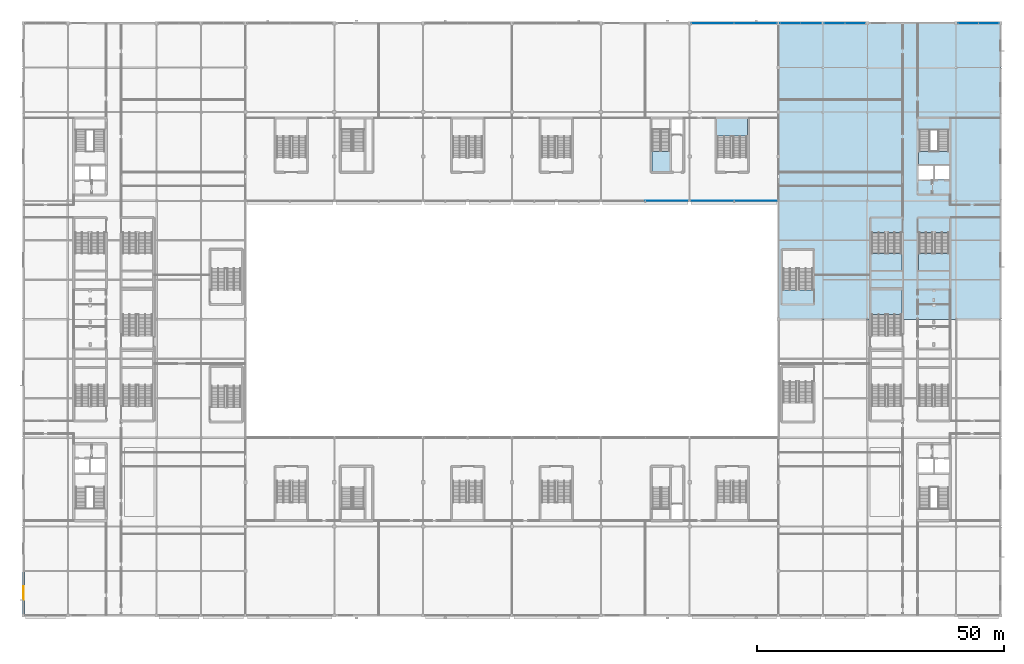
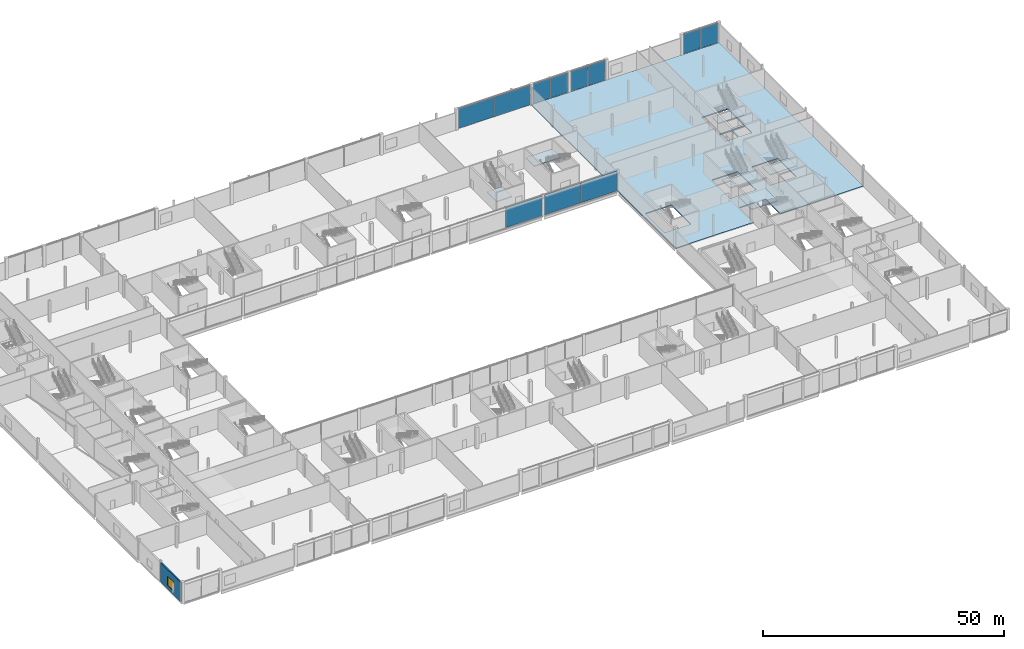
# One storey, part 57 of 111: 11 plates, 7 slabs, 1 wall, 1 window, 1 opening, 12 elements without a shape of their own.
"""IFC4 building model written with IfcOpenShell, lengths in metres."""

import ifcopenshell
import ifcopenshell.guid

model = None  # the IFC model being written
_history = None  # IfcOwnerHistory: only IFC2X3 demands one
_inside = {}  # id of a spatial element -> (the spatial element, [elements in it])
_under = {}  # id of a project, library or spatial element -> (it, [spatial elements below it])
_declared = {}  # id of a project -> (the project, [libraries it declares])
_typed = {}  # id of a type object -> (the type object, [elements of that type])
_made_of = {}  # id of a material, layer set ... -> (it, [elements and type objects made of it])


def new_model(schema):
    """Start an empty IFC model of exactly this schema.

    Asked for "IFC4X3", IfcOpenShell would pick the latest addendum, in which some entities
    have other attributes; the version numbers below select the first issue.
    IFC2X3 requires an IfcOwnerHistory on every rooted entity: one is made here for all.
    """
    global model, _history
    if schema == "IFC4X3":
        model = ifcopenshell.file(schema_version=(4, 3, 0, 0))
    else:
        model = ifcopenshell.file(schema=schema)
    _inside.clear()
    _under.clear()
    _declared.clear()
    _typed.clear()
    _made_of.clear()
    _history = None
    if model.schema == "IFC2X3":
        org = make("IfcOrganization", Name="unknown")
        user = make(
            "IfcPersonAndOrganization",
            ThePerson=make("IfcPerson", FamilyName="unknown"),
            TheOrganization=org,
        )
        app = make(
            "IfcApplication",
            ApplicationDeveloper=org,
            Version="unknown",
            ApplicationFullName="unknown",
            ApplicationIdentifier="unknown",
        )
        _history = make(
            "IfcOwnerHistory",
            OwningUser=user,
            OwningApplication=app,
            ChangeAction="ADDED",
            CreationDate=0,
        )
    return model


def make(cls, **values):
    """One entity of the class cls with the attributes given. An attribute that is None is left unset."""
    return model.create_entity(
        cls, **{name: value for name, value in values.items() if value is not None}
    )


def rooted(cls, **values):
    """An entity with a GlobalId (a new one), such as an element, a storey or a relation."""
    return make(cls, GlobalId=ifcopenshell.guid.new(), OwnerHistory=_history, **values)


def si_unit(unit_type, name, prefix=None):
    """IfcSIUnit, for example si_unit("LENGTHUNIT", "METRE", prefix="MILLI")."""
    return make("IfcSIUnit", UnitType=unit_type, Prefix=prefix, Name=name)


def assignment(units):
    """IfcUnitAssignment: the units of a project."""
    return None if units is None else make("IfcUnitAssignment", Units=units)


def point(xyz):
    """IfcCartesianPoint."""
    return None if xyz is None else make("IfcCartesianPoint", Coordinates=xyz)


def direction(xyz):
    """IfcDirection."""
    return None if xyz is None else make("IfcDirection", DirectionRatios=xyz)


def frame(location, z_axis=None, x_axis=None):
    """IfcAxis2Placement3D, a coordinate frame: its origin and axes. An axis left out is left unset."""
    return make(
        "IfcAxis2Placement3D",
        Location=point(location),
        Axis=direction(z_axis),
        RefDirection=direction(x_axis),
    )


def frame_2d(location, x_axis=None):
    """IfcAxis2Placement2D, a coordinate frame in the plane: its origin and x axis."""
    return make(
        "IfcAxis2Placement2D", Location=point(location), RefDirection=direction(x_axis)
    )


def origin():
    """The frame at (0, 0, 0) with its axes left unset."""
    return frame((0.0, 0.0, 0.0))


def origin_2d():
    """The frame at (0, 0) in the plane with its x axis left unset."""
    return frame_2d((0.0, 0.0))


def place(relative_to, where):
    """IfcLocalPlacement: puts the frame where relative to a parent placement (None: the world)."""
    return make(
        "IfcLocalPlacement", PlacementRelTo=relative_to, RelativePlacement=where
    )


def context(
    kind, dimensions, precision=None, world=None, true_north=None, identifier=None
):
    """IfcGeometricRepresentationContext, for example the 3D "Model" context."""
    return make(
        "IfcGeometricRepresentationContext",
        ContextIdentifier=identifier,
        ContextType=kind,
        CoordinateSpaceDimension=dimensions,
        Precision=precision,
        WorldCoordinateSystem=world,
        TrueNorth=true_north,
    )


def subcontext(parent, identifier, kind, view, scale=None):
    """IfcGeometricRepresentationSubContext, for example "Body" below "Model"."""
    return make(
        "IfcGeometricRepresentationSubContext",
        ContextIdentifier=identifier,
        ContextType=kind,
        ParentContext=parent,
        TargetScale=scale,
        TargetView=view,
    )


def project(units=None, contexts=None):
    """IfcProject with its units and contexts."""
    return rooted(
        "IfcProject",
        Name="project",
        RepresentationContexts=contexts,
        UnitsInContext=assignment(units),
    )


def spatial(cls, under=None, at=None, **own):
    """A site, building, storey or space (cls), placed at a placement, below another one or the project."""
    s = rooted(cls, ObjectPlacement=at, **own)
    if under is not None:
        _under.setdefault(under.id(), (under, []))[1].append(s)
    return s


def polyline(points):
    """IfcPolyline through the points."""
    return make("IfcPolyline", Points=[point(p) for p in points])


def profile(cls, at=None, kind="AREA", **sizes):
    """A parametric profile (cls). Its sizes go by their IFC names, for example OverallWidth=200.0."""
    return make(cls, ProfileType=kind, Position=at, **sizes)


def rectangle(**sizes):
    """IfcRectangleProfileDef."""
    return profile("IfcRectangleProfileDef", **sizes)


def outline(outer, holes=None, kind="AREA"):
    """IfcArbitraryClosedProfileDef: a profile drawn as a closed curve; with holes, ...WithVoids."""
    if holes is None:
        return make("IfcArbitraryClosedProfileDef", ProfileType=kind, OuterCurve=outer)
    return make(
        "IfcArbitraryProfileDefWithVoids",
        ProfileType=kind,
        OuterCurve=outer,
        InnerCurves=holes,
    )


def extrude(swept, where, along, depth):
    """IfcExtrudedAreaSolid: the profile swept, set in the frame where, extruded along a direction by depth."""
    return make(
        "IfcExtrudedAreaSolid",
        SweptArea=swept,
        Position=where,
        ExtrudedDirection=direction(along),
        Depth=depth,
    )


def shape(context_of_items, identifier, shape_type, items):
    """IfcShapeRepresentation: the items that make up one representation, for example the "Body"."""
    return make(
        "IfcShapeRepresentation",
        ContextOfItems=context_of_items,
        RepresentationIdentifier=identifier,
        RepresentationType=shape_type,
        Items=items,
    )


def material(Name=None, Category=None):
    """IfcMaterial."""
    return make("IfcMaterial", Name=Name, Category=Category)


def layer(
    of_material, thickness, ventilated=None, Name=None, Category=None, Priority=None
):
    """IfcMaterialLayer: one layer of a wall or slab, of a material (None: an air gap)."""
    return make(
        "IfcMaterialLayer",
        Material=of_material,
        LayerThickness=thickness,
        IsVentilated=ventilated,
        Name=Name,
        Category=Category,
        Priority=Priority,
    )


def layer_set(layers, Name=None):
    """IfcMaterialLayerSet."""
    return make("IfcMaterialLayerSet", MaterialLayers=layers, LayerSetName=Name)


def made_of(thing, what):
    """Note that an element or type object is made of a material, layer set ...; save() writes the relation."""
    if what is not None:
        _made_of.setdefault(what.id(), (what, []))[1].append(thing)
    return thing


def type_object(cls, material=None, **own):
    """A type object (cls), such as IfcWallType, which elements share."""
    return made_of(rooted(cls, **own), material)


def element(
    cls,
    number,
    at=None,
    inside=None,
    cuts=None,
    type_object=None,
    material=None,
    context=None,
    identifier="Body",
    shape_type=None,
    held_by="IfcProductDefinitionShape",
    body=None,
    shapes=None,
    **own,
):
    """One element of the class cls, such as IfcWall. Its Tag is "e" and its number.

    at: its placement. inside: the storey or other place that contains it. cuts: it is an
    opening in that element (IfcRelVoidsElement). A single representation is given by context,
    identifier, shape_type and body (its items); several are given by shapes. held_by: the class
    of the entity that holds the representations. save() writes the other relations.
    """
    e = rooted(cls, Tag="e%d" % number, ObjectPlacement=at, **own)
    if body is not None:
        shapes = [shape(context, identifier, shape_type, body)]
    if shapes is not None:
        e.Representation = make(held_by, Representations=shapes)
    if inside is not None:
        _inside.setdefault(inside.id(), (inside, []))[1].append(e)
    if cuts is not None:
        rooted(
            "IfcRelVoidsElement", RelatingBuildingElement=cuts, RelatedOpeningElement=e
        )
    if type_object is not None:
        _typed.setdefault(type_object.id(), (type_object, []))[1].append(e)
    return made_of(e, material)


def fill(opening, filler):
    """IfcRelFillsElement: the door or window that sits in an opening."""
    return rooted(
        "IfcRelFillsElement",
        RelatingOpeningElement=opening,
        RelatedBuildingElement=filler,
    )


def aggregate(whole, parts):
    """IfcRelAggregates: a whole, such as a stair, and the parts it consists of."""
    return rooted("IfcRelAggregates", RelatingObject=whole, RelatedObjects=parts)


def save(model, path):
    """Write the relations noted so far, then the file.

    IfcRelAggregates (storeys below a building ...), IfcRelContainedInSpatialStructure (elements
    in a storey), IfcRelDefinesByType, IfcRelAssociatesMaterial and IfcRelDeclares: one each for
    every whole, place, type object, material and project.
    """
    for whole, parts in _under.values():
        aggregate(whole, parts)
    for where, things in _inside.values():
        rooted(
            "IfcRelContainedInSpatialStructure",
            RelatedElements=things,
            RelatingStructure=where,
        )
    for kind, things in _typed.values():
        rooted("IfcRelDefinesByType", RelatedObjects=things, RelatingType=kind)
    for what, things in _made_of.values():
        rooted("IfcRelAssociatesMaterial", RelatedObjects=things, RelatingMaterial=what)
    for by, libraries in _declared.values():
        rooted("IfcRelDeclares", RelatingContext=by, RelatedDefinitions=libraries)
    model.write(path)


model = new_model("IFC4")

# Units and contexts
model_context = context("Model", 3, precision=1e-05, world=origin(), true_north=direction((0.0, 1.0)))
body_context = subcontext(model_context, "Body", "Model", "MODEL_VIEW")
ifc_project = project(units=[si_unit("LENGTHUNIT", "METRE"), si_unit("AREAUNIT", "SQUARE_METRE"), si_unit("VOLUMEUNIT", "CUBIC_METRE"), si_unit("PLANEANGLEUNIT", "RADIAN"), si_unit("MASSUNIT", "GRAM", prefix="KILO")], contexts=[model_context])

# Site, building, storey
site_placement = place(None, origin())
site = spatial("IfcSite", under=ifc_project, at=site_placement, CompositionType="ELEMENT")
building_placement = place(site_placement, origin())
building = spatial("IfcBuilding", under=site, at=building_placement, Name="Kisiwana Market Hall", CompositionType="ELEMENT")
storey_placement = place(building_placement, frame((0.0, 0.0, 11.39990234375)))
storey = spatial("IfcBuildingStorey", under=building, at=storey_placement, Name="L02", CompositionType="ELEMENT", Elevation=11.39990234375)

# Curtain wall, plate
ifc_material_1 = material(Name="Double-glazed solar-control low-E IGU", Category="glass")
ifc_layer_1 = layer(ifc_material_1, 0.159912109375)
ifc_layer_set_1 = layer_set([ifc_layer_1], Name="CW-GLD-W-6400")
curtain_wall_type_1 = type_object("IfcCurtainWallType", Name="CW-GLD-W-6400", PredefinedType="USERDEFINED", material=ifc_layer_set_1)
curtain_wall_1_placement = place(storey_placement, origin())
curtain_wall_1 = element("IfcCurtainWall", 1, at=curtain_wall_1_placement, inside=storey, type_object=curtain_wall_type_1, Name="Unitised curtain wall CW-077 (L02)", ObjectType="UNITISED CURTAIN WALL", PredefinedType="USERDEFINED")
ifc_material_2 = material(Name="Double-glazed solar-control low-E IGU", Category="glass")
ifc_layer_2 = layer(ifc_material_2, 0.02392578125)
ifc_layer_set_2 = layer_set([ifc_layer_2], Name="PL-IGU-24")
plate_type_1 = type_object("IfcPlateType", Name="PL-IGU-24", PredefinedType="CURTAIN_PANEL", material=ifc_layer_set_2)
plate_1_placement = place(storey_placement, frame((130.382080078125, 84.0, 0.06005859375), z_axis=(0.0, 0.0, 1.0), x_axis=(1.0, 0.0, 0.0)))
plate_1 = element("IfcPlate", 2, at=plate_1_placement, type_object=plate_type_1, Name="CW-077 panel 2.1", PredefinedType="CURTAIN_PANEL", context=body_context, shape_type="SweptSolid", body=[
    extrude(rectangle(XDim=8.7041015625, YDim=0.02392578125, at=origin_2d()), origin(), (0.0, 0.0, 1.0), 5.030029296875),
])
aggregate(curtain_wall_1, [plate_1])

# Curtain wall, plates
ifc_material_3 = material(Name="Double-glazed solar-control low-E IGU", Category="glass")
ifc_layer_3 = layer(ifc_material_3, 0.159912109375)
ifc_layer_set_3 = layer_set([ifc_layer_3], Name="CW-GLD-E-7200")
curtain_wall_type_2 = type_object("IfcCurtainWallType", Name="CW-GLD-E-7200", PredefinedType="USERDEFINED", material=ifc_layer_set_3)
curtain_wall_2_placement = place(storey_placement, origin())
curtain_wall_2 = element("IfcCurtainWall", 3, at=curtain_wall_2_placement, inside=storey, type_object=curtain_wall_type_2, Name="Unitised curtain wall CW-085 (L02)", ObjectType="UNITISED CURTAIN WALL", PredefinedType="USERDEFINED")
plate_2_placement = place(storey_placement, frame((139.677490234375, 120.0, 0.06005859375), z_axis=(0.0, 0.0, 1.0), x_axis=(1.0, 0.0, 0.0)))
plate_2 = element("IfcPlate", 4, at=plate_2_placement, type_object=plate_type_1, Name="CW-085 panel 1.1", PredefinedType="CURTAIN_PANEL", context=body_context, shape_type="SweptSolid", body=[
    extrude(rectangle(XDim=8.5849609375, YDim=0.02392578125, at=origin_2d()), origin(), (0.0, 0.0, 1.0), 5.030029296875),
])
plate_3_placement = place(storey_placement, frame((148.322509765625, 120.0, 0.06005859375), z_axis=(0.0, 0.0, 1.0), x_axis=(1.0, 0.0, 0.0)))
plate_3 = element("IfcPlate", 5, at=plate_3_placement, type_object=plate_type_1, Name="CW-085 panel 2.1", PredefinedType="CURTAIN_PANEL", context=body_context, shape_type="SweptSolid", body=[
    extrude(rectangle(XDim=8.5849609375, YDim=0.02392578125, at=origin_2d()), origin(), (0.0, 0.0, 1.0), 5.030029296875),
])
aggregate(curtain_wall_2, [plate_2, plate_3])

curtain_wall_3_placement = place(storey_placement, origin())
curtain_wall_3 = element("IfcCurtainWall", 6, at=curtain_wall_3_placement, inside=storey, type_object=curtain_wall_type_2, Name="Unitised curtain wall CW-087 (L02)", ObjectType="UNITISED CURTAIN WALL", PredefinedType="USERDEFINED")
plate_4_placement = place(storey_placement, frame((164.427490234375, 120.0, 0.06005859375), z_axis=(0.0, 0.0, 1.0), x_axis=(1.0, 0.0, 0.0)))
plate_4 = element("IfcPlate", 7, at=plate_4_placement, type_object=plate_type_1, Name="CW-087 panel 1.1", PredefinedType="CURTAIN_PANEL", context=body_context, shape_type="SweptSolid", body=[
    extrude(rectangle(XDim=4.0849609375, YDim=0.02392578125, at=origin_2d()), origin(), (0.0, 0.0, 1.0), 5.030029296875),
])
plate_5_placement = place(storey_placement, frame((168.572509765625, 120.0, 0.06005859375), z_axis=(0.0, 0.0, 1.0), x_axis=(1.0, 0.0, 0.0)))
plate_5 = element("IfcPlate", 8, at=plate_5_placement, type_object=plate_type_1, Name="CW-087 panel 2.1", PredefinedType="CURTAIN_PANEL", context=body_context, shape_type="SweptSolid", body=[
    extrude(rectangle(XDim=4.0849609375, YDim=0.02392578125, at=origin_2d()), origin(), (0.0, 0.0, 1.0), 5.030029296875),
])
aggregate(curtain_wall_3, [plate_4, plate_5])

curtain_wall_4_placement = place(storey_placement, origin())
curtain_wall_4 = element("IfcCurtainWall", 9, at=curtain_wall_4_placement, inside=storey, type_object=curtain_wall_type_1, Name="Unitised curtain wall CW-078 (L02)", ObjectType="UNITISED CURTAIN WALL", PredefinedType="USERDEFINED")
ifc_material_4 = material(Name="Double-glazed acoustic laminated IGU", Category="glass")
ifc_layer_4 = layer(ifc_material_4, 0.028076171875)
ifc_layer_set_4 = layer_set([ifc_layer_4], Name="PL-IGU-28")
plate_type_2 = type_object("IfcPlateType", Name="PL-IGU-28", PredefinedType="CURTAIN_PANEL", material=ifc_layer_set_4)
plate_6_placement = place(storey_placement, frame((139.617919921875, 84.0, 0.06005859375), z_axis=(0.0, 0.0, 1.0), x_axis=(1.0, 0.0, 0.0)))
plate_6 = element("IfcPlate", 10, at=plate_6_placement, type_object=plate_type_2, Name="CW-078 panel 1.1", PredefinedType="CURTAIN_PANEL", context=body_context, shape_type="SweptSolid", body=[
    extrude(rectangle(XDim=8.7041015625, YDim=0.028076171875, at=origin_2d()), origin(), (0.0, 0.0, 1.0), 5.030029296875),
])
plate_7_placement = place(storey_placement, frame((148.382080078125, 84.0, 0.06005859375), z_axis=(0.0, 0.0, 1.0), x_axis=(1.0, 0.0, 0.0)))
plate_7 = element("IfcPlate", 11, at=plate_7_placement, type_object=plate_type_2, Name="CW-078 panel 2.1", PredefinedType="CURTAIN_PANEL", context=body_context, shape_type="SweptSolid", body=[
    extrude(rectangle(XDim=8.7041015625, YDim=0.028076171875, at=origin_2d()), origin(), (0.0, 0.0, 1.0), 5.030029296875),
])
aggregate(curtain_wall_4, [plate_6, plate_7])

curtain_wall_5_placement = place(storey_placement, origin())
curtain_wall_5 = element("IfcCurtainWall", 12, at=curtain_wall_5_placement, inside=storey, type_object=curtain_wall_type_2, Name="Unitised curtain wall CW-086 (L02)", ObjectType="UNITISED CURTAIN WALL", PredefinedType="USERDEFINED")
plate_8_placement = place(storey_placement, frame((155.427490234375, 120.0, 0.06005859375), z_axis=(0.0, 0.0, 1.0), x_axis=(1.0, 0.0, 0.0)))
plate_8 = element("IfcPlate", 13, at=plate_8_placement, type_object=plate_type_2, Name="CW-086 panel 1.1", PredefinedType="CURTAIN_PANEL", context=body_context, shape_type="SweptSolid", body=[
    extrude(rectangle(XDim=4.0849609375, YDim=0.028076171875, at=origin_2d()), origin(), (0.0, 0.0, 1.0), 5.030029296875),
])
plate_9_placement = place(storey_placement, frame((159.572509765625, 120.0, 0.06005859375), z_axis=(0.0, 0.0, 1.0), x_axis=(1.0, 0.0, 0.0)))
plate_9 = element("IfcPlate", 14, at=plate_9_placement, type_object=plate_type_2, Name="CW-086 panel 2.1", PredefinedType="CURTAIN_PANEL", context=body_context, shape_type="SweptSolid", body=[
    extrude(rectangle(XDim=4.0849609375, YDim=0.028076171875, at=origin_2d()), origin(), (0.0, 0.0, 1.0), 5.030029296875),
])
aggregate(curtain_wall_5, [plate_8, plate_9])

curtain_wall_6_placement = place(storey_placement, origin())
curtain_wall_6 = element("IfcCurtainWall", 15, at=curtain_wall_6_placement, inside=storey, type_object=curtain_wall_type_2, Name="Unitised curtain wall CW-088 (L02)", ObjectType="UNITISED CURTAIN WALL", PredefinedType="USERDEFINED")
plate_10_placement = place(storey_placement, frame((191.427490234375, 120.0, 0.06005859375), z_axis=(0.0, 0.0, 1.0), x_axis=(1.0, 0.0, 0.0)))
plate_10 = element("IfcPlate", 16, at=plate_10_placement, type_object=plate_type_2, Name="CW-088 panel 1.1", PredefinedType="CURTAIN_PANEL", context=body_context, shape_type="SweptSolid", body=[
    extrude(rectangle(XDim=4.0849609375, YDim=0.028076171875, at=origin_2d()), origin(), (0.0, 0.0, 1.0), 5.030029296875),
])
plate_11_placement = place(storey_placement, frame((195.572509765625, 120.0, 0.06005859375), z_axis=(0.0, 0.0, 1.0), x_axis=(1.0, 0.0, 0.0)))
plate_11 = element("IfcPlate", 17, at=plate_11_placement, type_object=plate_type_2, Name="CW-088 panel 2.1", PredefinedType="CURTAIN_PANEL", context=body_context, shape_type="SweptSolid", body=[
    extrude(rectangle(XDim=4.0849609375, YDim=0.028076171875, at=origin_2d()), origin(), (0.0, 0.0, 1.0), 5.030029296875),
])
aggregate(curtain_wall_6, [plate_10, plate_11])

# Stair, slab
ifc_material_5 = material(Name="Concrete C32/40", Category="concrete")
stair_type_1 = type_object("IfcStairType", Name="ST-POD-5400", PredefinedType="TWO_STRAIGHT_RUN_STAIR", material=ifc_material_5)
stair_1_placement = place(storey_placement, origin())
stair_1 = element("IfcStair", 18, at=stair_1_placement, inside=storey, type_object=stair_type_1, Name="Escape stair ST-E1-L02", PredefinedType="TWO_STRAIGHT_RUN_STAIR")
ifc_material_6 = material(Name="Concrete C32/40", Category="concrete")
ifc_layer_5 = layer(ifc_material_6, 0.239990234375)
ifc_layer_set_5 = layer_set([ifc_layer_5], Name="SL-LANDING-160")
slab_type_1 = type_object("IfcSlabType", Name="SL-LANDING-160", PredefinedType="LANDING", material=ifc_layer_set_5)
slab_1_placement = place(storey_placement, frame((0.0, 0.0, 2.460205078125)))
slab_1 = element("IfcSlab", 19, at=slab_1_placement, type_object=slab_type_1, Name="ST-E1-L02 landing 1 S-145", PredefinedType="LANDING", context=body_context, shape_type="SweptSolid", body=[
    extrude(outline(polyline([(181.3798828125, 91.3798828125), (187.6201171875, 91.3798828125), (187.6201171875, 94.0009765625), (181.3798828125, 94.0009765625), (181.3798828125, 91.3798828125)])), origin(), (0.0, 0.0, 1.0), 0.239990234375),
])
aggregate(stair_1, [slab_1])

stair_2_placement = place(storey_placement, origin())
stair_2 = element("IfcStair", 20, at=stair_2_placement, inside=storey, type_object=stair_type_1, Name="Escape stair ST-N2-L02", PredefinedType="TWO_STRAIGHT_RUN_STAIR")
slab_2_placement = place(storey_placement, frame((0.0, 0.0, 2.460205078125)))
slab_2 = element("IfcSlab", 21, at=slab_2_placement, type_object=slab_type_1, Name="ST-N2-L02 landing 1 S-155", PredefinedType="LANDING", context=body_context, shape_type="SweptSolid", body=[
    extrude(outline(polyline([(127.340087890625, 89.93994140625), (130.97998046875, 89.93994140625), (130.97998046875, 94.041015625), (127.340087890625, 94.041015625), (127.340087890625, 89.93994140625)])), origin(), (0.0, 0.0, 1.0), 0.239990234375),
])
aggregate(stair_2, [slab_2])

ifc_material_7 = material(Name="Concrete C32/40", Category="concrete")
stair_type_2 = type_object("IfcStairType", Name="ST-ESC-5400", PredefinedType="TWO_STRAIGHT_RUN_STAIR", material=ifc_material_7)
stair_3_placement = place(storey_placement, origin())
stair_3 = element("IfcStair", 22, at=stair_3_placement, inside=storey, type_object=stair_type_2, Name="Escape stair ST-E4-L02", PredefinedType="TWO_STRAIGHT_RUN_STAIR")
slab_3_placement = place(storey_placement, frame((0.0, 0.0, 2.460205078125)))
slab_3 = element("IfcSlab", 23, at=slab_3_placement, type_object=slab_type_1, Name="ST-E4-L02 landing 1 S-149", PredefinedType="LANDING", context=body_context, shape_type="SweptSolid", body=[
    extrude(outline(polyline([(181.340087890625, 69.93994140625), (187.659912109375, 69.93994140625), (187.659912109375, 73.29052734375), (181.340087890625, 73.29052734375), (181.340087890625, 69.93994140625)])), origin(), (0.0, 0.0, 1.0), 0.239990234375),
])
aggregate(stair_3, [slab_3])

stair_4_placement = place(storey_placement, origin())
stair_4 = element("IfcStair", 24, at=stair_4_placement, inside=storey, type_object=stair_type_2, Name="Escape stair ST-E8-L02", PredefinedType="TWO_STRAIGHT_RUN_STAIR")
slab_4_placement = place(storey_placement, frame((0.0, 0.0, 2.460205078125)))
slab_4 = element("IfcSlab", 25, at=slab_4_placement, type_object=slab_type_1, Name="ST-E8-L02 landing 1 S-152", PredefinedType="LANDING", context=body_context, shape_type="SweptSolid", body=[
    extrude(outline(polyline([(171.739990234375, 69.93994140625), (178.06005859375, 69.93994140625), (178.06005859375, 73.29052734375), (171.739990234375, 73.29052734375), (171.739990234375, 69.93994140625)])), origin(), (0.0, 0.0, 1.0), 0.239990234375),
])
aggregate(stair_4, [slab_4])

stair_5_placement = place(storey_placement, origin())
stair_5 = element("IfcStair", 26, at=stair_5_placement, inside=storey, type_object=stair_type_2, Name="Escape stair ST-E5-L02", PredefinedType="TWO_STRAIGHT_RUN_STAIR")
slab_5_placement = place(storey_placement, frame((0.0, 0.0, 2.460205078125)))
slab_5 = element("IfcSlab", 27, at=slab_5_placement, type_object=slab_type_1, Name="ST-E5-L02 landing 1 S-150", PredefinedType="LANDING", context=body_context, shape_type="SweptSolid", body=[
    extrude(outline(polyline([(171.739990234375, 60.989501953125), (178.06005859375, 60.989501953125), (178.06005859375, 66.179931640625), (171.739990234375, 66.179931640625), (171.739990234375, 60.989501953125)])), origin(), (0.0, 0.0, 1.0), 0.239990234375),
])
aggregate(stair_5, [slab_5])

stair_6_placement = place(storey_placement, origin())
stair_6 = element("IfcStair", 28, at=stair_6_placement, inside=storey, type_object=stair_type_2, Name="Escape stair ST-N6-L02", PredefinedType="TWO_STRAIGHT_RUN_STAIR")
slab_6_placement = place(storey_placement, frame((0.0, 0.0, 2.460205078125)))
slab_6 = element("IfcSlab", 29, at=slab_6_placement, type_object=slab_type_1, Name="ST-N6-L02 landing 1 S-159", PredefinedType="LANDING", context=body_context, shape_type="SweptSolid", body=[
    extrude(outline(polyline([(140.43994140625, 97.109619140625), (146.760009765625, 97.109619140625), (146.760009765625, 100.659912109375), (140.43994140625, 100.659912109375), (140.43994140625, 97.109619140625)])), origin(), (0.0, 0.0, 1.0), 0.239990234375),
])
aggregate(stair_6, [slab_6])

# Slab
ifc_material_8 = material(Name="Concrete C32/40", Category="concrete")
ifc_layer_6 = layer(ifc_material_8, 0.25)
ifc_layer_set_6 = layer_set([ifc_layer_6], Name="SL-POD-220")
slab_type_2 = type_object("IfcSlabType", Name="SL-POD-220", PredefinedType="FLOOR", material=ifc_layer_set_6)
slab_7_placement = place(storey_placement, frame((0.0, 0.0, -0.25)))
element("IfcSlab", 30, at=slab_7_placement, inside=storey, type_object=slab_type_2, Name="Structural slab S-140", PredefinedType="FLOOR", context=body_context, shape_type="SweptSolid", body=[
    extrude(outline(polyline([(153.0, 60.0), (171.760009765625, 60.0), (171.760009765625, 66.159912109375), (178.0400390625, 66.159912109375), (178.0400390625, 60.0), (198.0, 60.0), (198.0, 120.0), (153.0, 120.0), (153.0, 60.0)]), holes=[polyline([(181.39990234375, 91.39990234375), (187.60009765625, 91.39990234375), (187.60009765625, 98.35009765625), (181.39990234375, 98.35009765625), (181.39990234375, 91.39990234375)]), polyline([(181.39990234375, 88.35009765625), (184.340087890625, 88.35009765625), (184.340087890625, 91.080078125), (181.39990234375, 91.080078125), (181.39990234375, 88.35009765625)]), polyline([(184.659912109375, 88.35009765625), (187.60009765625, 88.35009765625), (187.60009765625, 91.080078125), (184.659912109375, 91.080078125), (184.659912109375, 88.35009765625)]), polyline([(181.360107421875, 69.9599609375), (187.639892578125, 69.9599609375), (187.639892578125, 77.6201171875), (181.360107421875, 77.6201171875), (181.360107421875, 69.9599609375)]), polyline([(171.760009765625, 69.9599609375), (178.0400390625, 69.9599609375), (178.0400390625, 77.6201171875), (171.760009765625, 77.6201171875), (171.760009765625, 69.9599609375)]), polyline([(153.7900390625, 65.97998046875), (160.070068359375, 65.97998046875), (160.070068359375, 74.0400390625), (153.7900390625, 74.0400390625), (153.7900390625, 65.97998046875)])]), origin(), (0.0, 0.0, 1.0), 0.25),
])

# Wall, opening, window
ifc_material_9 = material(Name="Masonry blockwork", Category="masonry")
ifc_layer_7 = layer(ifc_material_9, 0.139892578125, Name="Rendered masonry outer leaf")
ifc_material_10 = material(Name="Mineral wool insulation")
ifc_layer_8 = layer(ifc_material_10, 0.074951171875, Name="Mineral wool cavity insulation")
ifc_material_11 = material(Name="Gypsum plasterboard")
ifc_layer_9 = layer(ifc_material_11, 0.074951171875, Name="Calcium silicate inner lining")
ifc_layer_set_7 = layer_set([ifc_layer_7, ifc_layer_8, ifc_layer_9], Name="WL-EXT-MAS-290")
wall_type = type_object("IfcWallType", Name="WL-EXT-MAS-290", PredefinedType="STANDARD", material=ifc_layer_set_7)
wall_placement = place(storey_placement, frame((0.0, 0.31689453125, 0.0), z_axis=(0.0, 0.0, 1.0), x_axis=(0.0, 1.0, 0.0)))
wall = element("IfcWall", 31, at=wall_placement, inside=storey, type_object=wall_type, Name="Exterior wall W-1080", PredefinedType="STANDARD", context=body_context, shape_type="SweptSolid", body=[
    extrude(rectangle(XDim=8.49462890625, YDim=0.2900390625, at=frame_2d((4.247314453125, 0.0))), origin(), (0.0, 0.0, 1.0), 4.900146484375),
])
opening_placement = place(wall_placement, frame((2.897216796875, 0.0, 0.85009765625)))
opening = element("IfcOpeningElement", 32, at=opening_placement, cuts=wall, Name="Opening WN-10", PredefinedType="OPENING", context=body_context, shape_type="SweptSolid", body=[
    extrude(rectangle(XDim=2.699951171875, YDim=2.39990234375, at=frame_2d((1.35009765625, 1.199951171875))), frame((0.0, 0.156982421875, 0.0), z_axis=(0.0, -1.0, 0.0), x_axis=(1.0, 0.0, 0.0)), (0.0, 0.0, 1.0), 0.31396484375),
])
ifc_material_12 = material(Name="Double-glazed solar-control low-E IGU", Category="glass")
window_type = type_object("IfcWindowType", Name="WN-GLD-2700x2400", PartitioningType="SINGLE_PANEL", PredefinedType="WINDOW", material=ifc_material_12)
window_placement = place(opening_placement, origin())
window = element("IfcWindow", 33, at=window_placement, inside=storey, type_object=window_type, Name="Exterior window WN-037", OverallHeight=2.39990234375, OverallWidth=2.699951171875, PartitioningType="SINGLE_PANEL", PredefinedType="WINDOW", context=body_context, shape_type="SweptSolid", body=[
    extrude(rectangle(XDim=2.699951171875, YDim=2.39990234375, at=frame_2d((1.35009765625, 1.199951171875))), frame((0.0, 0.030029296875, 0.0), z_axis=(0.0, -1.0, 0.0), x_axis=(1.0, 0.0, 0.0)), (0.0, 0.0, 1.0), 0.06005859375),
])
fill(opening, window)

save(model, "model.ifc")
